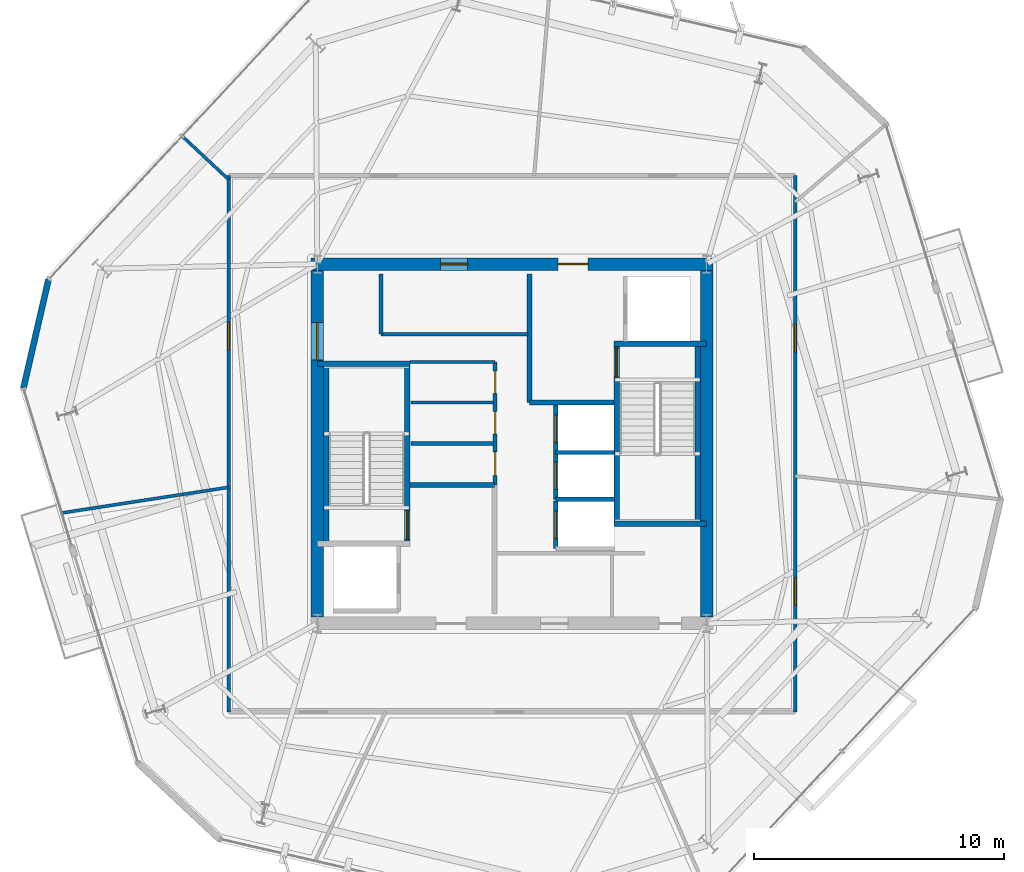
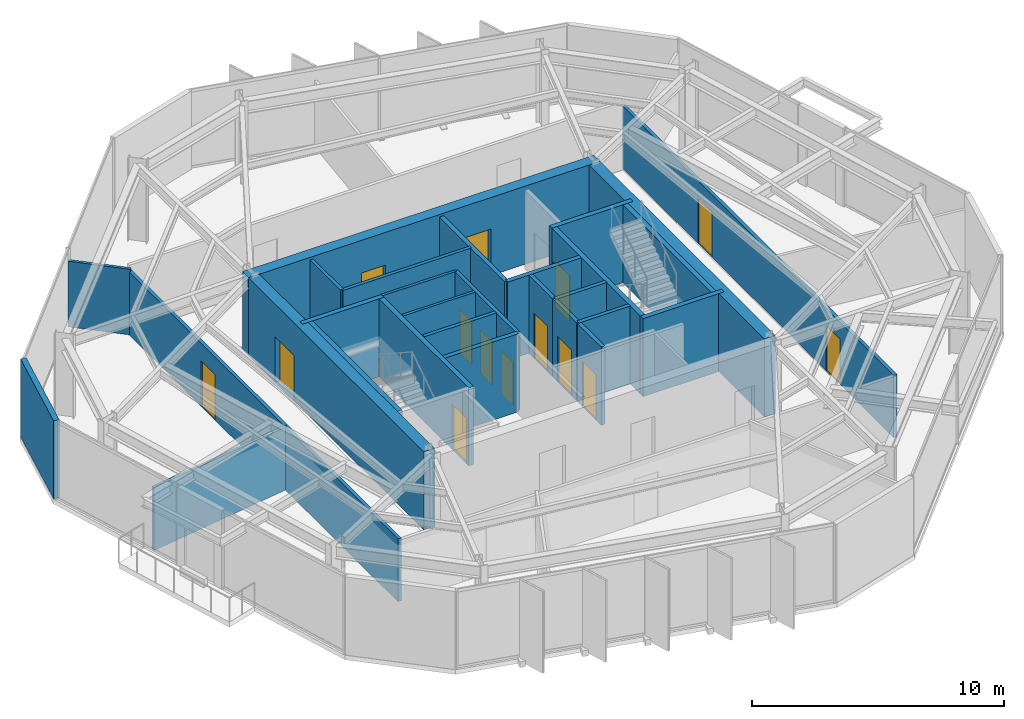
# One storey, part 7 of 11: 29 walls, 14 doors, 14 openings.
"""IFC4 building model written with IfcOpenShell, lengths in metres."""

from ifc_helpers import new_model, si_unit, direction, frame, frame_2d, origin, place, context, subcontext, project, spatial, rectangle, extrude, material, layer, layer_set, type_object, element, fill, save


model = new_model("IFC4")

# Units and contexts
model_context = context("Model", 3, precision=1e-05, world=origin(), true_north=direction((0.0, 1.0)))
body_context = subcontext(model_context, "Body", "Model", "MODEL_VIEW")
ifc_project = project(units=[si_unit("LENGTHUNIT", "METRE"), si_unit("AREAUNIT", "SQUARE_METRE"), si_unit("VOLUMEUNIT", "CUBIC_METRE"), si_unit("PLANEANGLEUNIT", "RADIAN"), si_unit("MASSUNIT", "GRAM", prefix="KILO")], contexts=[model_context])

# Site, building, storey
site_placement = place(None, origin())
site = spatial("IfcSite", under=ifc_project, at=site_placement, CompositionType="ELEMENT")
building_placement = place(site_placement, origin())
building = spatial("IfcBuilding", under=site, at=building_placement, Name="Kranzbogen Civic Tower", CompositionType="ELEMENT")
storey_placement = place(building_placement, frame((0.0, 0.0, 212.800048828125)))
storey = spatial("IfcBuildingStorey", under=building, at=storey_placement, Name="L51", CompositionType="ELEMENT", Elevation=212.800048828125)

# Walls
ifc_material_1 = material(Name="Double-Stud Acoustic Gypsum Partition")
ifc_layer_1 = layer(ifc_material_1, 0.14990234375, Name="Double-Stud Acoustic Gypsum Partition")
ifc_layer_set_1 = layer_set([ifc_layer_1], Name="Double-Stud Acoustic Gypsum Partition")
wall_type_1 = type_object("IfcWallType", Name="Acoustic Corridor and Clinical Partition 150 mm", PredefinedType="PARTITIONING", material=ifc_layer_set_1)
wall_1_placement = place(storey_placement, frame((19.75, 29.389892578125, 0.0), z_axis=(0.0, 0.0, 1.0), x_axis=(1.0, 0.0, 0.0)))
element("IfcWall", 1, at=wall_1_placement, inside=storey, type_object=wall_type_1, Name="L51 digital comms South wall", PredefinedType="PARTITIONING", context=body_context, shape_type="SweptSolid", body=[
    extrude(rectangle(XDim=5.89990234375, YDim=0.14990234375, at=frame_2d((2.949951171875, 0.0))), origin(), (0.0, 0.0, 1.0), 3.780029296875),
])
wall_2_placement = place(storey_placement, frame((19.75, 29.389892578125, 0.0), z_axis=(0.0, 0.0, 1.0), x_axis=(0.0, 1.0, 0.0)))
element("IfcWall", 2, at=wall_2_placement, inside=storey, type_object=wall_type_1, Name="L51 digital comms West wall", PredefinedType="PARTITIONING", context=body_context, shape_type="SweptSolid", body=[
    extrude(rectangle(XDim=2.41015625, YDim=0.14990234375, at=frame_2d((1.205078125, 0.0))), origin(), (0.0, 0.0, 1.0), 3.780029296875),
])

# Wall, openings, doors
wall_3_placement = place(storey_placement, frame((36.35009765625, 35.75, 0.0), z_axis=(0.0, 0.0, 1.0), x_axis=(0.0, -1.0, 0.0)))
wall_3 = element("IfcWall", 3, at=wall_3_placement, inside=storey, type_object=wall_type_1, Name="L51 corridor partition 02", PredefinedType="PARTITIONING", context=body_context, shape_type="SweptSolid", body=[
    extrude(rectangle(XDim=21.5, YDim=0.14990234375, at=frame_2d((10.75, 0.0))), origin(), (0.0, 0.0, 1.0), 3.02001953125),
])
opening_1_placement = place(wall_3_placement, frame((16.1298828125, 0.0, 0.0)))
opening_1 = element("IfcOpeningElement", 4, at=opening_1_placement, cuts=wall_3, Name="Opening D-COR60", PredefinedType="OPENING", context=body_context, shape_type="SweptSolid", body=[
    extrude(rectangle(XDim=1.10009765625, YDim=2.199951171875, at=frame_2d((0.550048828125, 1.10009765625))), frame((0.0, 0.0849609375, 0.0), z_axis=(0.0, -1.0, 0.0), x_axis=(1.0, 0.0, 0.0)), (0.0, 0.0, 1.0), 0.169921875),
])
opening_2_placement = place(wall_3_placement, frame((5.966064453125, 0.0, 0.0)))
opening_2 = element("IfcOpeningElement", 5, at=opening_2_placement, cuts=wall_3, Name="Opening D-COR60", PredefinedType="OPENING", context=body_context, shape_type="SweptSolid", body=[
    extrude(rectangle(XDim=1.10009765625, YDim=2.199951171875, at=frame_2d((0.550048828125, 1.10009765625))), frame((0.0, 0.0849609375, 0.0), z_axis=(0.0, -1.0, 0.0), x_axis=(1.0, 0.0, 0.0)), (0.0, 0.0, 1.0), 0.169921875),
])
ifc_material_2 = material(Name="Oak Timber and Fire Core", Category="wood")
door_type_1 = type_object("IfcDoorType", Name="Corridor Acoustic Fire Door 1100x2200", OperationType="NOTDEFINED", PredefinedType="DOOR", material=ifc_material_2)
door_1_placement = place(opening_1_placement, origin())
door_1 = element("IfcDoor", 6, at=door_1_placement, inside=storey, type_object=door_type_1, Name="L51 Protocol Dining Room door", OperationType="SINGLE_SWING_RIGHT", OverallHeight=2.199951171875, OverallWidth=1.10009765625, PredefinedType="DOOR", context=body_context, shape_type="SweptSolid", body=[
    extrude(rectangle(XDim=1.10009765625, YDim=2.199951171875, at=frame_2d((0.550048828125, 1.10009765625))), frame((0.0, 0.02490234375, 0.0), z_axis=(0.0, -1.0, 0.0), x_axis=(1.0, 0.0, 0.0)), (0.0, 0.0, 1.0), 0.050048828125),
])
fill(opening_1, door_1)
door_2_placement = place(opening_2_placement, origin())
door_2 = element("IfcDoor", 7, at=door_2_placement, inside=storey, type_object=door_type_1, Name="L51 Staff Tea Pantry door", OperationType="SINGLE_SWING_LEFT", OverallHeight=2.199951171875, OverallWidth=1.10009765625, PredefinedType="DOOR", context=body_context, shape_type="SweptSolid", body=[
    extrude(rectangle(XDim=1.10009765625, YDim=2.199951171875, at=frame_2d((0.550048828125, 1.10009765625))), frame((0.0, 0.02490234375, 0.0), z_axis=(0.0, -1.0, 0.0), x_axis=(1.0, 0.0, 0.0)), (0.0, 0.0, 1.0), 0.050048828125),
])
fill(opening_2, door_2)

# Wall, opening, door
wall_4_placement = place(storey_placement, frame((13.64990234375, 14.25, 0.0), z_axis=(0.0, 0.0, 1.0), x_axis=(0.0, 1.0, 0.0)))
wall_4 = element("IfcWall", 8, at=wall_4_placement, inside=storey, type_object=wall_type_1, Name="L51 corridor partition 04", PredefinedType="PARTITIONING", context=body_context, shape_type="SweptSolid", body=[
    extrude(rectangle(XDim=21.5, YDim=0.14990234375, at=frame_2d((10.75, 0.0))), origin(), (0.0, 0.0, 1.0), 3.050048828125),
])
opening_3_placement = place(wall_4_placement, frame((14.513916015625, 0.0, 0.0)))
opening_3 = element("IfcOpeningElement", 9, at=opening_3_placement, cuts=wall_4, Name="Opening D-COR60", PredefinedType="OPENING", context=body_context, shape_type="SweptSolid", body=[
    extrude(rectangle(XDim=1.10009765625, YDim=2.199951171875, at=frame_2d((0.550048828125, 1.10009765625))), frame((0.0, 0.0849609375, 0.0), z_axis=(0.0, -1.0, 0.0), x_axis=(1.0, 0.0, 0.0)), (0.0, 0.0, 1.0), 0.169921875),
])
door_3_placement = place(opening_3_placement, origin())
door_3 = element("IfcDoor", 10, at=door_3_placement, inside=storey, type_object=door_type_1, Name="L51 Executive Briefing Conference Room door", OperationType="SINGLE_SWING_RIGHT", OverallHeight=2.199951171875, OverallWidth=1.10009765625, PredefinedType="DOOR", context=body_context, shape_type="SweptSolid", body=[
    extrude(rectangle(XDim=1.10009765625, YDim=2.199951171875, at=frame_2d((0.550048828125, 1.10009765625))), frame((0.0, 0.02490234375, 0.0), z_axis=(0.0, -1.0, 0.0), x_axis=(1.0, 0.0, 0.0)), (0.0, 0.0, 1.0), 0.050048828125),
])
fill(opening_3, door_3)

# Walls
ifc_material_3 = material(Name="Insulated Metal-Stud Gypsum Partition")
ifc_layer_2 = layer(ifc_material_3, 0.125, Name="Insulated Metal-Stud Gypsum Partition")
ifc_layer_set_2 = layer_set([ifc_layer_2], Name="Insulated Metal-Stud Gypsum Partition")
wall_type_2 = type_object("IfcWallType", Name="Acoustic Inter-Room Partition 125 mm", PredefinedType="PARTITIONING", material=ifc_layer_set_2)
wall_5_placement = place(storey_placement, frame((20.919921875, 28.280029296875, 0.0), z_axis=(0.0, 0.0, 1.0), x_axis=(1.0, 0.0, 0.0)))
element("IfcWall", 11, at=wall_5_placement, inside=storey, type_object=wall_type_2, Name="L51 core auxiliary North wall", PredefinedType="PARTITIONING", context=body_context, shape_type="SweptSolid", body=[
    extrude(rectangle(XDim=3.405029296875, YDim=0.125, at=frame_2d((1.70263671875, 0.0))), origin(), (0.0, 0.0, 1.0), 3.780029296875),
])
wall_6_placement = place(storey_placement, frame((20.949951171875, 26.659912109375, 0.0), z_axis=(0.0, 0.0, 1.0), x_axis=(1.0, 0.0, 0.0)))
element("IfcWall", 12, at=wall_6_placement, inside=storey, type_object=wall_type_2, Name="L51 core auxiliary partition 3", PredefinedType="PARTITIONING", context=body_context, shape_type="SweptSolid", body=[
    extrude(rectangle(XDim=3.300048828125, YDim=0.125, at=frame_2d((1.64990234375, 0.0))), origin(), (0.0, 0.0, 1.0), 3.780029296875),
])
wall_7_placement = place(storey_placement, frame((13.64990234375, 35.583984375, 0.0), z_axis=(0.0, 0.0, 1.0), x_axis=(-0.731138505923, 0.682229056225, 0.0)))
element("IfcWall", 13, at=wall_7_placement, inside=storey, type_object=wall_type_2, Name="L51 radial room partition 02", PredefinedType="PARTITIONING", context=body_context, shape_type="SweptSolid", body=[
    extrude(rectangle(XDim=2.535888671875, YDim=0.125, at=frame_2d((1.26806640625, 0.0))), origin(), (0.0, 0.0, 1.0), 3.179931640625),
])
wall_8_placement = place(storey_placement, frame((13.64990234375, 23.2548828125, 0.0), z_axis=(0.0, 0.0, 1.0), x_axis=(-0.988396734226, -0.151894357271, 0.0)))
element("IfcWall", 14, at=wall_8_placement, inside=storey, type_object=wall_type_2, Name="L51 radial room partition 03", PredefinedType="PARTITIONING", context=body_context, shape_type="SweptSolid", body=[
    extrude(rectangle(XDim=6.76025390625, YDim=0.125, at=frame_2d((3.380126953125, 0.0))), origin(), (0.0, 0.0, 1.0), 3.050048828125),
])

# Wall, openings, doors
ifc_material_4 = material(Name="Concrete C45/55", Category="concrete")
ifc_layer_3 = layer(ifc_material_4, 0.5, Name="Concrete C45/55")
ifc_layer_set_3 = layer_set([ifc_layer_3], Name="Concrete C45/55")
wall_type_3 = type_object("IfcWallType", Name="Central Core Shear Wall 500 mm", PredefinedType="SHEAR", material=ifc_layer_set_3)
wall_9_placement = place(storey_placement, frame((33.050048828125, 32.199951171875, 0.0), z_axis=(0.0, 0.0, 1.0), x_axis=(-1.0, 0.0, 0.0)))
wall_9 = element("IfcWall", 15, at=wall_9_placement, inside=storey, type_object=wall_type_3, Name="L51 central core North shear wall", PredefinedType="SHEAR", context=body_context, shape_type="SweptSolid", body=[
    extrude(rectangle(XDim=16.10009765625, YDim=0.5, at=frame_2d((8.050048828125, 0.0))), origin(), (0.0, 0.0, 1.0), 3.780029296875),
])
opening_4_placement = place(wall_9_placement, frame((5.0, 0.0, 0.0)))
opening_4 = element("IfcOpeningElement", 16, at=opening_4_placement, cuts=wall_9, Name="Opening D-EX120", PredefinedType="OPENING", context=body_context, shape_type="SweptSolid", body=[
    extrude(rectangle(XDim=1.199951171875, YDim=2.25, at=frame_2d((0.60009765625, 1.125))), frame((0.0, 0.260009765625, 0.0), z_axis=(0.0, -1.0, 0.0), x_axis=(1.0, 0.0, 0.0)), (0.0, 0.0, 1.0), 0.52001953125),
])
opening_5_placement = place(wall_9_placement, frame((9.824951171875, 0.0, 0.0)))
opening_5 = element("IfcOpeningElement", 17, at=opening_5_placement, cuts=wall_9, Name="Opening D-COR60", PredefinedType="OPENING", context=body_context, shape_type="SweptSolid", body=[
    extrude(rectangle(XDim=1.10009765625, YDim=2.199951171875, at=frame_2d((0.550048828125, 1.10009765625))), frame((0.0, 0.260009765625, 0.0), z_axis=(0.0, -1.0, 0.0), x_axis=(1.0, 0.0, 0.0)), (0.0, 0.0, 1.0), 0.52001953125),
])
door_4_placement = place(opening_5_placement, origin())
door_4 = element("IfcDoor", 18, at=door_4_placement, inside=storey, type_object=door_type_1, Name="L51 DAT1 comms room door", OperationType="SINGLE_SWING_LEFT", OverallHeight=2.199951171875, OverallWidth=1.10009765625, PredefinedType="DOOR", context=body_context, shape_type="SweptSolid", body=[
    extrude(rectangle(XDim=1.10009765625, YDim=2.199951171875, at=frame_2d((0.550048828125, 1.10009765625))), frame((0.0, 0.02490234375, 0.0), z_axis=(0.0, -1.0, 0.0), x_axis=(1.0, 0.0, 0.0)), (0.0, 0.0, 1.0), 0.050048828125),
])
fill(opening_5, door_4)
ifc_material_5 = material(Name="Steel S355", Category="steel")
door_type_2 = type_object("IfcDoorType", Name="Exit Passageway Fire Door 1200x2250", OperationType="NOTDEFINED", PredefinedType="DOOR", material=ifc_material_5)
door_5_placement = place(opening_4_placement, origin())
door_5 = element("IfcDoor", 19, at=door_5_placement, inside=storey, type_object=door_type_2, Name="L51 East firefighting lobby corridor door", OperationType="SINGLE_SWING_LEFT", OverallHeight=2.25, OverallWidth=1.199951171875, PredefinedType="DOOR", context=body_context, shape_type="SweptSolid", body=[
    extrude(rectangle(XDim=1.199951171875, YDim=2.25, at=frame_2d((0.60009765625, 1.125))), frame((0.0, 0.02490234375, 0.0), z_axis=(0.0, -1.0, 0.0), x_axis=(1.0, 0.0, 0.0)), (0.0, 0.0, 1.0), 0.050048828125),
])
fill(opening_4, door_5)

# Wall, opening, door
wall_10_placement = place(storey_placement, frame((17.199951171875, 31.949951171875, 0.0), z_axis=(0.0, 0.0, 1.0), x_axis=(0.0, -1.0, 0.0)))
wall_10 = element("IfcWall", 20, at=wall_10_placement, inside=storey, type_object=wall_type_3, Name="L51 central core West shear wall", PredefinedType="SHEAR", context=body_context, shape_type="SweptSolid", body=[
    extrude(rectangle(XDim=13.89990234375, YDim=0.5, at=frame_2d((6.949951171875, 0.0))), origin(), (0.0, 0.0, 1.0), 3.780029296875),
])
opening_6_placement = place(wall_10_placement, frame((2.10009765625, 0.0, 0.0)))
opening_6 = element("IfcOpeningElement", 21, at=opening_6_placement, cuts=wall_10, Name="Opening D-DBL15", PredefinedType="OPENING", context=body_context, shape_type="SweptSolid", body=[
    extrude(rectangle(XDim=1.5, YDim=2.199951171875, at=frame_2d((0.75, 1.10009765625))), frame((0.0, 0.260009765625, 0.0), z_axis=(0.0, -1.0, 0.0), x_axis=(1.0, 0.0, 0.0)), (0.0, 0.0, 1.0), 0.52001953125),
])
ifc_material_6 = material(Name="Anodised Bronze and Glass", Category="glass")
door_type_3 = type_object("IfcDoorType", Name="Civic Lobby Double Door 1500x2200", OperationType="DOUBLE_DOOR_SINGLE_SWING", PredefinedType="DOOR", material=ifc_material_6)
door_6_placement = place(opening_6_placement, origin())
door_6 = element("IfcDoor", 22, at=door_6_placement, inside=storey, type_object=door_type_3, Name="L51 Central Lift Lobby West concourse door", OperationType="DOUBLE_DOOR_SINGLE_SWING", OverallHeight=2.199951171875, OverallWidth=1.5, PredefinedType="DOOR", context=body_context, shape_type="SweptSolid", body=[
    extrude(rectangle(XDim=1.5, YDim=2.199951171875, at=frame_2d((0.75, 1.10009765625))), frame((0.0, 0.02490234375, 0.0), z_axis=(0.0, -1.0, 0.0), x_axis=(1.0, 0.0, 0.0)), (0.0, 0.0, 1.0), 0.050048828125),
])
fill(opening_6, door_6)

# Wall
wall_11_placement = place(storey_placement, frame((32.800048828125, 18.050048828125, 0.0), z_axis=(0.0, 0.0, 1.0), x_axis=(0.0, 1.0, 0.0)))
element("IfcWall", 23, at=wall_11_placement, inside=storey, type_object=wall_type_3, Name="L51 central core East shear wall", PredefinedType="SHEAR", context=body_context, shape_type="SweptSolid", body=[
    extrude(rectangle(XDim=13.89990234375, YDim=0.5, at=frame_2d((6.949951171875, 0.0))), origin(), (0.0, 0.0, 1.0), 3.780029296875),
])

# Wall, opening, door
ifc_layer_4 = layer(ifc_material_4, 0.219970703125, Name="Concrete C45/55")
ifc_layer_set_4 = layer_set([ifc_layer_4], Name="Concrete C45/55")
wall_type_4 = type_object("IfcWallType", Name="Core Internal Stair Structural Wall 220 mm", PredefinedType="SOLIDWALL", material=ifc_layer_set_4)
wall_12_placement = place(storey_placement, frame((20.81005859375, 20.989990234375, 0.0), z_axis=(0.0, 0.0, 1.0), x_axis=(0.0, 1.0, 0.0)))
wall_12 = element("IfcWall", 24, at=wall_12_placement, inside=storey, type_object=wall_type_4, Name="L51 ST-T1 East structural stair wall", PredefinedType="SOLIDWALL", context=body_context, shape_type="SweptSolid", body=[
    extrude(rectangle(XDim=7.219970703125, YDim=0.219970703125, at=frame_2d((3.60986328125, 0.0))), origin(), (0.0, 0.0, 1.0), 3.780029296875),
])
opening_7_placement = place(wall_12_placement, frame((0.179931640625, 0.0, 0.0)))
opening_7 = element("IfcOpeningElement", 25, at=opening_7_placement, cuts=wall_12, Name="Opening D-ST90", PredefinedType="OPENING", context=body_context, shape_type="SweptSolid", body=[
    extrude(rectangle(XDim=1.14990234375, YDim=2.199951171875, at=frame_2d((0.574951171875, 1.10009765625))), frame((0.0, 0.1201171875, 0.0), z_axis=(0.0, -1.0, 0.0), x_axis=(1.0, 0.0, 0.0)), (0.0, 0.0, 1.0), 0.239990234375),
])
door_type_4 = type_object("IfcDoorType", Name="Pressurized Stair and Lobby Fire Door 1150x2200", OperationType="NOTDEFINED", PredefinedType="DOOR", material=ifc_material_5)
door_7_placement = place(opening_7_placement, origin())
door_7 = element("IfcDoor", 26, at=door_7_placement, inside=storey, type_object=door_type_4, Name="L51 Stair ST-T1 fire door", OperationType="SINGLE_SWING_RIGHT", OverallHeight=2.199951171875, OverallWidth=1.14990234375, PredefinedType="DOOR", context=body_context, shape_type="SweptSolid", body=[
    extrude(rectangle(XDim=1.14990234375, YDim=2.199951171875, at=frame_2d((0.574951171875, 1.10009765625))), frame((0.0, 0.02490234375, 0.0), z_axis=(0.0, -1.0, 0.0), x_axis=(1.0, 0.0, 0.0)), (0.0, 0.0, 1.0), 0.050048828125),
])
fill(opening_7, door_7)

# Walls
wall_13_placement = place(storey_placement, frame((17.199951171875, 28.2099609375, 0.0), z_axis=(0.0, 0.0, 1.0), x_axis=(1.0, 0.0, 0.0)))
element("IfcWall", 27, at=wall_13_placement, inside=storey, type_object=wall_type_4, Name="L51 ST-T1 North structural stair wall", PredefinedType="SOLIDWALL", context=body_context, shape_type="SweptSolid", body=[
    extrude(rectangle(XDim=3.719970703125, YDim=0.219970703125, at=frame_2d((1.85986328125, 0.0))), origin(), (0.0, 0.0, 1.0), 3.780029296875),
])
wall_14_placement = place(storey_placement, frame((17.554931640625, 28.2099609375, 0.0), z_axis=(0.0, 0.0, 1.0), x_axis=(0.0, -1.0, 0.0)))
element("IfcWall", 28, at=wall_14_placement, inside=storey, type_object=wall_type_4, Name="L51 ST-T1 West structural stair wall", PredefinedType="SOLIDWALL", context=body_context, shape_type="SweptSolid", body=[
    extrude(rectangle(XDim=7.219970703125, YDim=0.219970703125, at=frame_2d((3.60986328125, 0.0))), origin(), (0.0, 0.0, 1.0), 3.780029296875),
])

# Wall, opening, door
wall_15_placement = place(storey_placement, frame((29.18994140625, 21.7900390625, 0.0), z_axis=(0.0, 0.0, 1.0), x_axis=(0.0, 1.0, 0.0)))
wall_15 = element("IfcWall", 29, at=wall_15_placement, inside=storey, type_object=wall_type_4, Name="L51 ST-T2 West structural stair wall", PredefinedType="SOLIDWALL", context=body_context, shape_type="SweptSolid", body=[
    extrude(rectangle(XDim=7.219970703125, YDim=0.219970703125, at=frame_2d((3.60986328125, 0.0))), origin(), (0.0, 0.0, 1.0), 3.780029296875),
])
opening_8_placement = place(wall_15_placement, frame((5.8798828125, 0.0, 0.0)))
opening_8 = element("IfcOpeningElement", 30, at=opening_8_placement, cuts=wall_15, Name="Opening D-ST90", PredefinedType="OPENING", context=body_context, shape_type="SweptSolid", body=[
    extrude(rectangle(XDim=1.14990234375, YDim=2.199951171875, at=frame_2d((0.574951171875, 1.10009765625))), frame((0.0, 0.1201171875, 0.0), z_axis=(0.0, -1.0, 0.0), x_axis=(1.0, 0.0, 0.0)), (0.0, 0.0, 1.0), 0.239990234375),
])
door_8_placement = place(opening_8_placement, origin())
door_8 = element("IfcDoor", 31, at=door_8_placement, inside=storey, type_object=door_type_4, Name="L51 Stair ST-T2 fire door", OperationType="SINGLE_SWING_LEFT", OverallHeight=2.199951171875, OverallWidth=1.14990234375, PredefinedType="DOOR", context=body_context, shape_type="SweptSolid", body=[
    extrude(rectangle(XDim=1.14990234375, YDim=2.199951171875, at=frame_2d((0.574951171875, 1.10009765625))), frame((0.0, 0.02490234375, 0.0), z_axis=(0.0, -1.0, 0.0), x_axis=(1.0, 0.0, 0.0)), (0.0, 0.0, 1.0), 0.050048828125),
])
fill(opening_8, door_8)

# Walls
for number, where, z_axis, x_axis, name in (
    (32, (29.080078125, 21.7900390625, 0.0), (0.0, 0.0, 1.0), (1.0, 0.0, 0.0), "L51 ST-T2 South structural stair wall"),
    (33, (29.080078125, 29.010009765625, 0.0), (0.0, 0.0, 1.0), (1.0, 0.0, 0.0), "L51 ST-T2 North structural stair wall"),
):
    element("IfcWall", number, at=place(storey_placement, frame(where, z_axis=z_axis, x_axis=x_axis)), inside=storey, type_object=wall_type_4, Name=name, PredefinedType="SOLIDWALL", context=body_context, shape_type="SweptSolid", body=[
        extrude(rectangle(XDim=3.719970703125, YDim=0.219970703125, at=frame_2d((1.85986328125, 0.0))), origin(), (0.0, 0.0, 1.0), 3.780029296875),
    ])
wall_16_placement = place(storey_placement, frame((32.445068359375, 29.010009765625, 0.0), z_axis=(0.0, 0.0, 1.0), x_axis=(0.0, -1.0, 0.0)))
element("IfcWall", 34, at=wall_16_placement, inside=storey, type_object=wall_type_4, Name="L51 ST-T2 East structural stair wall", PredefinedType="SOLIDWALL", context=body_context, shape_type="SweptSolid", body=[
    extrude(rectangle(XDim=7.219970703125, YDim=0.219970703125, at=frame_2d((3.60986328125, 0.0))), origin(), (0.0, 0.0, 1.0), 3.780029296875),
])
ifc_material_7 = material(Name="Gypsum Fireboard and Concrete Block", Category="concrete")
ifc_layer_5 = layer(ifc_material_7, 0.199951171875, Name="Gypsum Fireboard and Concrete Block")
ifc_layer_set_5 = layer_set([ifc_layer_5], Name="Gypsum Fireboard and Concrete Block")
wall_type_5 = type_object("IfcWallType", Name="Fire-Rated Exit Passageway and Stair Wall 200 mm", PredefinedType="PARTITIONING", material=ifc_layer_set_5)
wall_17_placement = place(storey_placement, frame((20.919921875, 23.35009765625, 0.0), z_axis=(0.0, 0.0, 1.0), x_axis=(1.0, 0.0, 0.0)))
element("IfcWall", 35, at=wall_17_placement, inside=storey, type_object=wall_type_5, Name="L51 West firefighting lobby North wall", PredefinedType="PARTITIONING", context=body_context, shape_type="SweptSolid", body=[
    extrude(rectangle(XDim=3.380126953125, YDim=0.199951171875, at=frame_2d((1.68994140625, 0.0))), origin(), (0.0, 0.0, 1.0), 3.780029296875),
])
wall_18_placement = place(storey_placement, frame((25.699951171875, 26.64990234375, 0.0), z_axis=(0.0, 0.0, 1.0), x_axis=(0.0, 1.0, 0.0)))
element("IfcWall", 36, at=wall_18_placement, inside=storey, type_object=wall_type_5, Name="L51 East firefighting lobby West wall", PredefinedType="PARTITIONING", context=body_context, shape_type="SweptSolid", body=[
    extrude(rectangle(XDim=5.150146484375, YDim=0.199951171875, at=frame_2d((2.5751953125, 0.0))), origin(), (0.0, 0.0, 1.0), 3.780029296875),
])
wall_19_placement = place(storey_placement, frame((25.699951171875, 26.64990234375, 0.0), z_axis=(0.0, 0.0, 1.0), x_axis=(1.0, 0.0, 0.0)))
element("IfcWall", 37, at=wall_19_placement, inside=storey, type_object=wall_type_5, Name="L51 East firefighting lobby South wall", PredefinedType="PARTITIONING", context=body_context, shape_type="SweptSolid", body=[
    extrude(rectangle(XDim=3.380126953125, YDim=0.199951171875, at=frame_2d((1.68994140625, 0.0))), origin(), (0.0, 0.0, 1.0), 3.780029296875),
])

# Wall, opening, door
ifc_material_8 = material(Name="Gypsum Fireboard Shaftliner")
ifc_layer_6 = layer(ifc_material_8, 0.175048828125, Name="Gypsum Fireboard Shaftliner")
ifc_layer_set_6 = layer_set([ifc_layer_6], Name="Gypsum Fireboard Shaftliner")
wall_type_6 = type_object("IfcWallType", Name="Fire-Rated Lift and Service Shaft Wall 175 mm", PredefinedType="PARTITIONING", material=ifc_layer_set_6)
wall_20_placement = place(storey_placement, frame((26.75, 20.800048828125, 0.0), z_axis=(0.0, 0.0, 1.0), x_axis=(0.0, 1.0, 0.0)))
wall_20 = element("IfcWall", 38, at=wall_20_placement, inside=storey, type_object=wall_type_6, Name="L51 lift HP-01 landing wall", PredefinedType="PARTITIONING", context=body_context, shape_type="SweptSolid", body=[
    extrude(rectangle(XDim=1.89990234375, YDim=0.175048828125, at=frame_2d((0.949951171875, 0.0))), origin(), (0.0, 0.0, 1.0), 3.780029296875),
])
opening_9_placement = place(wall_20_placement, frame((0.39990234375, 0.0, 0.0)))
opening_9 = element("IfcOpeningElement", 39, at=opening_9_placement, cuts=wall_20, Name="Opening LD-HP-01", PredefinedType="OPENING", context=body_context, shape_type="SweptSolid", body=[
    extrude(rectangle(XDim=1.10009765625, YDim=2.199951171875, at=frame_2d((0.550048828125, 1.10009765625))), frame((0.0, 0.09765625, 0.0), z_axis=(0.0, -1.0, 0.0), x_axis=(1.0, 0.0, 0.0)), (0.0, 0.0, 1.0), 0.195068359375),
])
ifc_material_9 = material(Name="Pale Anodised Aluminium", Category="aluminium")
door_type_5 = type_object("IfcDoorType", Name="Passenger Lift Sliding Landing Door 1100x2200", OperationType="DOUBLE_DOOR_SLIDING", PredefinedType="DOOR", material=ifc_material_9)
door_9_placement = place(opening_9_placement, origin())
door_9 = element("IfcDoor", 40, at=door_9_placement, inside=storey, type_object=door_type_5, Name="L51 lift HP-01 sliding landing door", OperationType="DOUBLE_DOOR_SLIDING", OverallHeight=2.199951171875, OverallWidth=1.10009765625, PredefinedType="DOOR", context=body_context, shape_type="SweptSolid", body=[
    extrude(rectangle(XDim=1.10009765625, YDim=2.199951171875, at=frame_2d((0.550048828125, 1.10009765625))), frame((0.0, 0.02490234375, 0.0), z_axis=(0.0, -1.0, 0.0), x_axis=(1.0, 0.0, 0.0)), (0.0, 0.0, 1.0), 0.050048828125),
])
fill(opening_9, door_9)

wall_21_placement = place(storey_placement, frame((26.75, 22.77490234375, 0.0), z_axis=(0.0, 0.0, 1.0), x_axis=(0.0, 1.0, 0.0)))
wall_21 = element("IfcWall", 41, at=wall_21_placement, inside=storey, type_object=wall_type_6, Name="L51 lift HP-02 landing wall", PredefinedType="PARTITIONING", context=body_context, shape_type="SweptSolid", body=[
    extrude(rectangle(XDim=1.900146484375, YDim=0.175048828125, at=frame_2d((0.9501953125, 0.0))), origin(), (0.0, 0.0, 1.0), 3.780029296875),
])
opening_10_placement = place(wall_21_placement, frame((0.39990234375, 0.0, 0.0)))
opening_10 = element("IfcOpeningElement", 42, at=opening_10_placement, cuts=wall_21, Name="Opening LD-HP-02", PredefinedType="OPENING", context=body_context, shape_type="SweptSolid", body=[
    extrude(rectangle(XDim=1.10009765625, YDim=2.199951171875, at=frame_2d((0.550048828125, 1.10009765625))), frame((0.0, 0.09765625, 0.0), z_axis=(0.0, -1.0, 0.0), x_axis=(1.0, 0.0, 0.0)), (0.0, 0.0, 1.0), 0.195068359375),
])
door_10_placement = place(opening_10_placement, origin())
door_10 = element("IfcDoor", 43, at=door_10_placement, inside=storey, type_object=door_type_5, Name="L51 lift HP-02 sliding landing door", OperationType="DOUBLE_DOOR_SLIDING", OverallHeight=2.199951171875, OverallWidth=1.10009765625, PredefinedType="DOOR", context=body_context, shape_type="SweptSolid", body=[
    extrude(rectangle(XDim=1.10009765625, YDim=2.199951171875, at=frame_2d((0.550048828125, 1.10009765625))), frame((0.0, 0.02490234375, 0.0), z_axis=(0.0, -1.0, 0.0), x_axis=(1.0, 0.0, 0.0)), (0.0, 0.0, 1.0), 0.050048828125),
])
fill(opening_10, door_10)

# Wall
wall_22_placement = place(storey_placement, frame((26.75, 22.77490234375, 0.0), z_axis=(0.0, 0.0, 1.0), x_axis=(1.0, 0.0, 0.0)))
element("IfcWall", 44, at=wall_22_placement, inside=storey, type_object=wall_type_6, Name="L51 lift HP-02 side wall", PredefinedType="PARTITIONING", context=body_context, shape_type="SweptSolid", body=[
    extrude(rectangle(XDim=2.35009765625, YDim=0.175048828125, at=frame_2d((1.175048828125, 0.0))), origin(), (0.0, 0.0, 1.0), 3.780029296875),
])

# Wall, opening, door
wall_23_placement = place(storey_placement, frame((26.75, 24.64990234375, 0.0), z_axis=(0.0, 0.0, 1.0), x_axis=(0.0, 1.0, 0.0)))
wall_23 = element("IfcWall", 45, at=wall_23_placement, inside=storey, type_object=wall_type_6, Name="L51 lift HP-03 landing wall", PredefinedType="PARTITIONING", context=body_context, shape_type="SweptSolid", body=[
    extrude(rectangle(XDim=1.900146484375, YDim=0.175048828125, at=frame_2d((0.9501953125, 0.0))), origin(), (0.0, 0.0, 1.0), 3.780029296875),
])
opening_11_placement = place(wall_23_placement, frame((0.39990234375, 0.0, 0.0)))
opening_11 = element("IfcOpeningElement", 46, at=opening_11_placement, cuts=wall_23, Name="Opening LD-HP-03", PredefinedType="OPENING", context=body_context, shape_type="SweptSolid", body=[
    extrude(rectangle(XDim=1.10009765625, YDim=2.199951171875, at=frame_2d((0.550048828125, 1.10009765625))), frame((0.0, 0.09765625, 0.0), z_axis=(0.0, -1.0, 0.0), x_axis=(1.0, 0.0, 0.0)), (0.0, 0.0, 1.0), 0.195068359375),
])
door_11_placement = place(opening_11_placement, origin())
door_11 = element("IfcDoor", 47, at=door_11_placement, inside=storey, type_object=door_type_5, Name="L51 lift HP-03 sliding landing door", OperationType="DOUBLE_DOOR_SLIDING", OverallHeight=2.199951171875, OverallWidth=1.10009765625, PredefinedType="DOOR", context=body_context, shape_type="SweptSolid", body=[
    extrude(rectangle(XDim=1.10009765625, YDim=2.199951171875, at=frame_2d((0.550048828125, 1.10009765625))), frame((0.0, 0.02490234375, 0.0), z_axis=(0.0, -1.0, 0.0), x_axis=(1.0, 0.0, 0.0)), (0.0, 0.0, 1.0), 0.050048828125),
])
fill(opening_11, door_11)

# Walls
wall_24_placement = place(storey_placement, frame((26.75, 24.64990234375, 0.0), z_axis=(0.0, 0.0, 1.0), x_axis=(1.0, 0.0, 0.0)))
element("IfcWall", 48, at=wall_24_placement, inside=storey, type_object=wall_type_6, Name="L51 lift HP-03 side wall", PredefinedType="PARTITIONING", context=body_context, shape_type="SweptSolid", body=[
    extrude(rectangle(XDim=2.35009765625, YDim=0.175048828125, at=frame_2d((1.175048828125, 0.0))), origin(), (0.0, 0.0, 1.0), 3.780029296875),
])
ifc_layer_7 = layer(ifc_material_9, 0.239990234375, Name="Pale Anodised Aluminium")
ifc_layer_set_7 = layer_set([ifc_layer_7], Name="Pale Anodised Aluminium")
wall_type_7 = type_object("IfcWallType", Name="Insulated Aluminium Facade Portal Wall 240 mm", PredefinedType="STANDARD", material=ifc_layer_set_7)
wall_25_placement = place(storey_placement, frame((6.427001953125, 31.5810546875, 0.0), z_axis=(0.0, 0.0, 1.0), x_axis=(-0.224883448427, -0.974385670371, 0.0)))
element("IfcWall", 49, at=wall_25_placement, inside=storey, type_object=wall_type_7, Name="L51 chamfered corner facade spandrel 2", PredefinedType="STANDARD", context=body_context, shape_type="SweptSolid", body=[
    extrude(rectangle(XDim=4.468505859375, YDim=0.239990234375, at=frame_2d((2.234375, 0.0))), origin(), (0.0, 0.0, 1.0), 3.780029296875),
])

# Wall, openings, doors
ifc_material_10 = material(Name="Moisture-Resistant Gypsum Assembly")
ifc_layer_8 = layer(ifc_material_10, 0.159912109375, Name="Moisture-Resistant Gypsum Assembly")
ifc_layer_set_8 = layer_set([ifc_layer_8], Name="Moisture-Resistant Gypsum Assembly")
wall_type_8 = type_object("IfcWallType", Name="Sanitary and Plumbing Wet Wall 160 mm", PredefinedType="PLUMBINGWALL", material=ifc_layer_set_8)
wall_26_placement = place(storey_placement, frame((24.324951171875, 23.35009765625, 0.0), z_axis=(0.0, 0.0, 1.0), x_axis=(0.0, 1.0, 0.0)))
wall_26 = element("IfcWall", 50, at=wall_26_placement, inside=storey, type_object=wall_type_8, Name="L51 core auxiliary East wall", PredefinedType="PLUMBINGWALL", context=body_context, shape_type="SweptSolid", body=[
    extrude(rectangle(XDim=4.929931640625, YDim=0.159912109375, at=frame_2d((2.46484375, 0.0))), origin(), (0.0, 0.0, 1.0), 3.780029296875),
])
opening_12_placement = place(wall_26_placement, frame((0.375, 0.0, 0.0)))
opening_12 = element("IfcOpeningElement", 51, at=opening_12_placement, cuts=wall_26, Name="Opening D-AWC95", PredefinedType="OPENING", context=body_context, shape_type="SweptSolid", body=[
    extrude(rectangle(XDim=0.949951171875, YDim=2.10009765625, at=frame_2d((0.47509765625, 1.050048828125))), frame((0.0, 0.08984375, 0.0), z_axis=(0.0, -1.0, 0.0), x_axis=(1.0, 0.0, 0.0)), (0.0, 0.0, 1.0), 0.179931640625),
])
opening_13_placement = place(wall_26_placement, frame((2.034912109375, 0.0, 0.0)))
opening_13 = element("IfcOpeningElement", 52, at=opening_13_placement, cuts=wall_26, Name="Opening D-WC90", PredefinedType="OPENING", context=body_context, shape_type="SweptSolid", body=[
    extrude(rectangle(XDim=0.89990234375, YDim=2.10009765625, at=frame_2d((0.449951171875, 1.050048828125))), frame((0.0, 0.08984375, 0.0), z_axis=(0.0, -1.0, 0.0), x_axis=(1.0, 0.0, 0.0)), (0.0, 0.0, 1.0), 0.179931640625),
])
opening_14_placement = place(wall_26_placement, frame((3.659912109375, 0.0, 0.0)))
opening_14 = element("IfcOpeningElement", 53, at=opening_14_placement, cuts=wall_26, Name="Opening D-WC90", PredefinedType="OPENING", context=body_context, shape_type="SweptSolid", body=[
    extrude(rectangle(XDim=0.89990234375, YDim=2.10009765625, at=frame_2d((0.449951171875, 1.050048828125))), frame((0.0, 0.08984375, 0.0), z_axis=(0.0, -1.0, 0.0), x_axis=(1.0, 0.0, 0.0)), (0.0, 0.0, 1.0), 0.179931640625),
])
ifc_material_11 = material(Name="Moisture-Resistant Laminate")
door_type_6 = type_object("IfcDoorType", Name="Accessible Restroom Door 950x2100", OperationType="NOTDEFINED", PredefinedType="DOOR", material=ifc_material_11)
door_12_placement = place(opening_12_placement, origin())
door_12 = element("IfcDoor", 54, at=door_12_placement, inside=storey, type_object=door_type_6, Name="L51 Accessible Restroom door", OperationType="SINGLE_SWING_RIGHT", OverallHeight=2.10009765625, OverallWidth=0.949951171875, PredefinedType="DOOR", context=body_context, shape_type="SweptSolid", body=[
    extrude(rectangle(XDim=0.949951171875, YDim=2.10009765625, at=frame_2d((0.47509765625, 1.050048828125))), frame((0.0, 0.02490234375, 0.0), z_axis=(0.0, -1.0, 0.0), x_axis=(1.0, 0.0, 0.0)), (0.0, 0.0, 1.0), 0.050048828125),
])
fill(opening_12, door_12)
door_type_7 = type_object("IfcDoorType", Name="Standard Restroom and Store Door 900x2100", OperationType="NOTDEFINED", PredefinedType="DOOR", material=ifc_material_11)
door_13_placement = place(opening_13_placement, origin())
door_13 = element("IfcDoor", 55, at=door_13_placement, inside=storey, type_object=door_type_7, Name="L51 Staff Restroom door", OperationType="SINGLE_SWING_LEFT", OverallHeight=2.10009765625, OverallWidth=0.89990234375, PredefinedType="DOOR", context=body_context, shape_type="SweptSolid", body=[
    extrude(rectangle(XDim=0.89990234375, YDim=2.10009765625, at=frame_2d((0.449951171875, 1.050048828125))), frame((0.0, 0.02490234375, 0.0), z_axis=(0.0, -1.0, 0.0), x_axis=(1.0, 0.0, 0.0)), (0.0, 0.0, 1.0), 0.050048828125),
])
fill(opening_13, door_13)
door_14_placement = place(opening_14_placement, origin())
door_14 = element("IfcDoor", 56, at=door_14_placement, inside=storey, type_object=door_type_7, Name="L51 Cleaner and Janitor Store door", OperationType="SINGLE_SWING_RIGHT", OverallHeight=2.10009765625, OverallWidth=0.89990234375, PredefinedType="DOOR", context=body_context, shape_type="SweptSolid", body=[
    extrude(rectangle(XDim=0.89990234375, YDim=2.10009765625, at=frame_2d((0.449951171875, 1.050048828125))), frame((0.0, 0.02490234375, 0.0), z_axis=(0.0, -1.0, 0.0), x_axis=(1.0, 0.0, 0.0)), (0.0, 0.0, 1.0), 0.050048828125),
])
fill(opening_14, door_14)

# Wall
wall_27_placement = place(storey_placement, frame((20.949951171875, 25.010009765625, 0.0), z_axis=(0.0, 0.0, 1.0), x_axis=(1.0, 0.0, 0.0)))
element("IfcWall", 57, at=wall_27_placement, inside=storey, type_object=wall_type_8, Name="L51 core auxiliary partition 2", PredefinedType="PLUMBINGWALL", context=body_context, shape_type="SweptSolid", body=[
    extrude(rectangle(XDim=3.300048828125, YDim=0.159912109375, at=frame_2d((1.64990234375, 0.0))), origin(), (0.0, 0.0, 1.0), 3.780029296875),
])

save(model, "model.ifc")
